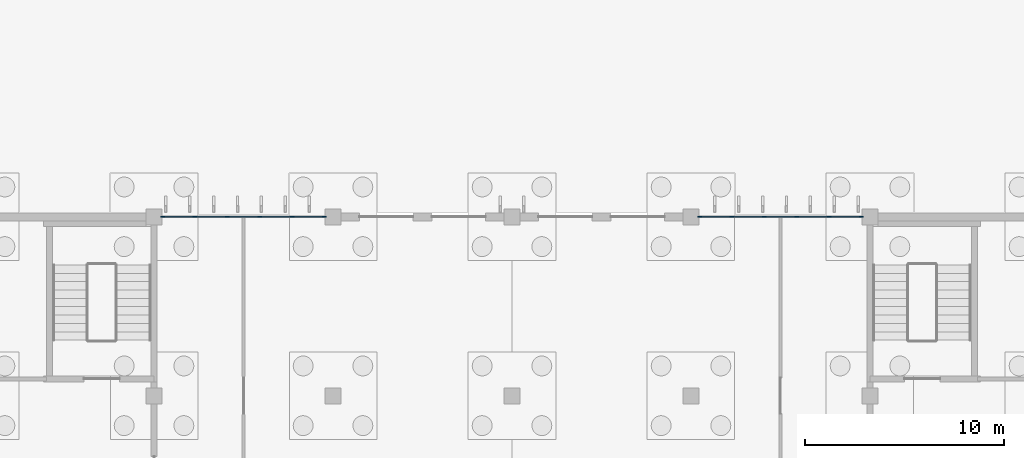
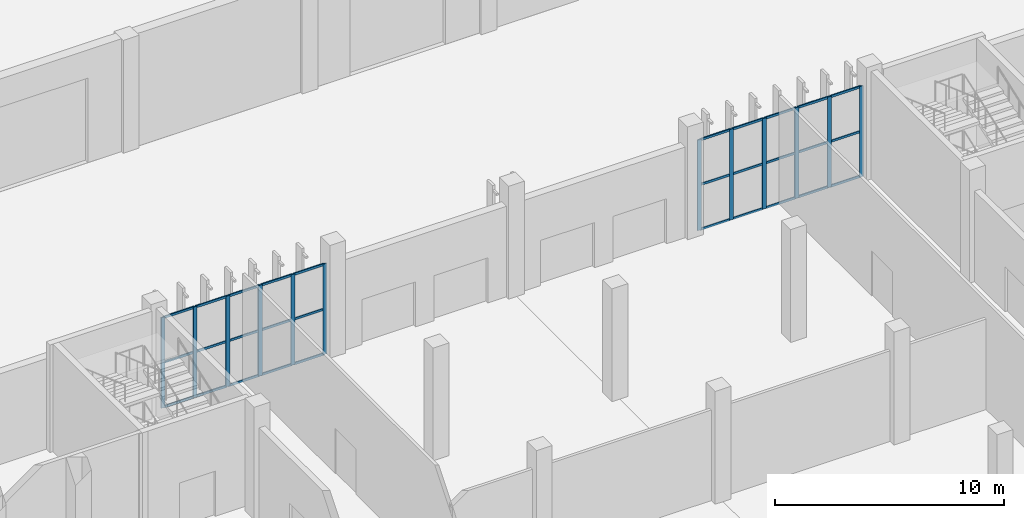
# One storey, part 37 of 198: 42 members, 2 elements without a shape of their own.
"""IFC4 building model written with IfcOpenShell, lengths in metres."""

from ifc_helpers import new_model, si_unit, direction, frame, origin, origin_2d, place, context, subcontext, project, spatial, rectangle, extrude, material, layer, layer_set, material_profile, profile_set, type_object, element, aggregate, save


model = new_model("IFC4")

# Units and contexts
model_context = context("Model", 3, precision=1e-05, world=origin(), true_north=direction((0.0, 1.0)))
body_context = subcontext(model_context, "Body", "Model", "MODEL_VIEW")
ifc_project = project(units=[si_unit("LENGTHUNIT", "METRE"), si_unit("AREAUNIT", "SQUARE_METRE"), si_unit("VOLUMEUNIT", "CUBIC_METRE"), si_unit("PLANEANGLEUNIT", "RADIAN"), si_unit("MASSUNIT", "GRAM", prefix="KILO")], contexts=[model_context])

# Site, building, storey
site_placement = place(None, origin())
site = spatial("IfcSite", under=ifc_project, at=site_placement, CompositionType="ELEMENT")
building_placement = place(site_placement, origin())
building = spatial("IfcBuilding", under=site, at=building_placement, Name="Opaline Strait Convention Centre", CompositionType="ELEMENT")
storey_placement = place(building_placement, origin())
storey = spatial("IfcBuildingStorey", under=building, at=storey_placement, Name="L00", CompositionType="ELEMENT", Elevation=0.0)

# Curtain wall, members
ifc_material_1 = material(Name="Aluminium framed double glazing", Category="aluminium")
ifc_layer = layer(ifc_material_1, 0.199951171875)
ifc_layer_set = layer_set([ifc_layer], Name="Aluminium framed double glazing")
curtain_wall_type = type_object("IfcCurtainWallType", Name="Curtain wall 1500 module", PredefinedType="NOTDEFINED", material=ifc_layer_set)
curtain_wall_1_placement = place(storey_placement, origin())
curtain_wall_1 = element("IfcCurtainWall", 1, at=curtain_wall_1_placement, inside=storey, type_object=curtain_wall_type, Name="L00 N facade glazing bay 3", PredefinedType="NOTDEFINED")
ifc_material_2 = material(Name="Aluminium alloy 6063", Category="aluminium")
ifc_material_profile_1 = material_profile(ifc_material_2, rectangle(XDim=0.06005859375, YDim=0.199951171875, at=origin_2d()), Name="Curtain wall mullion 60x200")
ifc_profile_set_1 = profile_set([ifc_material_profile_1], Name="Aluminium alloy 6063")
member_type_1 = type_object("IfcMemberType", Name="Curtain wall mullion 60x200", PredefinedType="MULLION", material=ifc_profile_set_1)
member_1_placement = place(storey_placement, frame((27.429931640625, 99.0, 0.0), z_axis=(0.0, 0.0, 1.0), x_axis=(0.0, 1.0, 0.0)))
member_1 = element("IfcMember", 2, at=member_1_placement, type_object=member_type_1, Name="RCW1 mullion 1", PredefinedType="MULLION", context=body_context, shape_type="SweptSolid", body=[
    extrude(rectangle(XDim=0.06005859375, YDim=0.199951171875, at=origin_2d()), origin(), (0.0, 0.0, 1.0), 4.820068359375),
])
member_2_placement = place(storey_placement, frame((29.0400390625, 99.0, 0.0), z_axis=(0.0, 0.0, 1.0), x_axis=(0.0, 1.0, 0.0)))
member_2 = element("IfcMember", 3, at=member_2_placement, type_object=member_type_1, Name="RCW1 mullion 2", PredefinedType="MULLION", context=body_context, shape_type="SweptSolid", body=[
    extrude(rectangle(XDim=0.06005859375, YDim=0.199951171875, at=origin_2d()), origin(), (0.0, 0.0, 1.0), 4.820068359375),
])
member_3_placement = place(storey_placement, frame((30.679931640625, 99.0, 0.0), z_axis=(0.0, 0.0, 1.0), x_axis=(0.0, 1.0, 0.0)))
member_3 = element("IfcMember", 4, at=member_3_placement, type_object=member_type_1, Name="RCW1 mullion 3", PredefinedType="MULLION", context=body_context, shape_type="SweptSolid", body=[
    extrude(rectangle(XDim=0.06005859375, YDim=0.199951171875, at=origin_2d()), origin(), (0.0, 0.0, 1.0), 4.820068359375),
])
member_4_placement = place(storey_placement, frame((32.320068359375, 99.0, 0.0), z_axis=(0.0, 0.0, 1.0), x_axis=(0.0, 1.0, 0.0)))
member_4 = element("IfcMember", 5, at=member_4_placement, type_object=member_type_1, Name="RCW1 mullion 4", PredefinedType="MULLION", context=body_context, shape_type="SweptSolid", body=[
    extrude(rectangle(XDim=0.06005859375, YDim=0.199951171875, at=origin_2d()), origin(), (0.0, 0.0, 1.0), 4.820068359375),
])
member_5_placement = place(storey_placement, frame((33.9599609375, 99.0, 0.0), z_axis=(0.0, 0.0, 1.0), x_axis=(0.0, 1.0, 0.0)))
member_5 = element("IfcMember", 6, at=member_5_placement, type_object=member_type_1, Name="RCW1 mullion 5", PredefinedType="MULLION", context=body_context, shape_type="SweptSolid", body=[
    extrude(rectangle(XDim=0.06005859375, YDim=0.199951171875, at=origin_2d()), origin(), (0.0, 0.0, 1.0), 4.820068359375),
])
member_6_placement = place(storey_placement, frame((35.570068359375, 99.0, 0.0), z_axis=(0.0, 0.0, 1.0), x_axis=(0.0, 1.0, 0.0)))
member_6 = element("IfcMember", 7, at=member_6_placement, type_object=member_type_1, Name="RCW1 mullion 6", PredefinedType="MULLION", context=body_context, shape_type="SweptSolid", body=[
    extrude(rectangle(XDim=0.06005859375, YDim=0.199951171875, at=origin_2d()), origin(), (0.0, 0.0, 1.0), 4.820068359375),
])

curtain_wall_2_placement = place(storey_placement, origin())
curtain_wall_2 = element("IfcCurtainWall", 8, at=curtain_wall_2_placement, inside=storey, type_object=curtain_wall_type, Name="L00 N facade glazing bay 6", PredefinedType="NOTDEFINED")
member_7_placement = place(storey_placement, frame((54.429931640625, 99.0, 0.0), z_axis=(0.0, 0.0, 1.0), x_axis=(0.0, 1.0, 0.0)))
member_7 = element("IfcMember", 9, at=member_7_placement, type_object=member_type_1, Name="RCW1 mullion 1", PredefinedType="MULLION", context=body_context, shape_type="SweptSolid", body=[
    extrude(rectangle(XDim=0.06005859375, YDim=0.199951171875, at=origin_2d()), origin(), (0.0, 0.0, 1.0), 4.820068359375),
])
member_8_placement = place(storey_placement, frame((56.0400390625, 99.0, 0.0), z_axis=(0.0, 0.0, 1.0), x_axis=(0.0, 1.0, 0.0)))
member_8 = element("IfcMember", 10, at=member_8_placement, type_object=member_type_1, Name="RCW1 mullion 2", PredefinedType="MULLION", context=body_context, shape_type="SweptSolid", body=[
    extrude(rectangle(XDim=0.06005859375, YDim=0.199951171875, at=origin_2d()), origin(), (0.0, 0.0, 1.0), 4.820068359375),
])
member_9_placement = place(storey_placement, frame((57.679931640625, 99.0, 0.0), z_axis=(0.0, 0.0, 1.0), x_axis=(0.0, 1.0, 0.0)))
member_9 = element("IfcMember", 11, at=member_9_placement, type_object=member_type_1, Name="RCW1 mullion 3", PredefinedType="MULLION", context=body_context, shape_type="SweptSolid", body=[
    extrude(rectangle(XDim=0.06005859375, YDim=0.199951171875, at=origin_2d()), origin(), (0.0, 0.0, 1.0), 4.820068359375),
])
member_10_placement = place(storey_placement, frame((59.320068359375, 99.0, 0.0), z_axis=(0.0, 0.0, 1.0), x_axis=(0.0, 1.0, 0.0)))
member_10 = element("IfcMember", 12, at=member_10_placement, type_object=member_type_1, Name="RCW1 mullion 4", PredefinedType="MULLION", context=body_context, shape_type="SweptSolid", body=[
    extrude(rectangle(XDim=0.06005859375, YDim=0.199951171875, at=origin_2d()), origin(), (0.0, 0.0, 1.0), 4.820068359375),
])
member_11_placement = place(storey_placement, frame((60.9599609375, 99.0, 0.0), z_axis=(0.0, 0.0, 1.0), x_axis=(0.0, 1.0, 0.0)))
member_11 = element("IfcMember", 13, at=member_11_placement, type_object=member_type_1, Name="RCW1 mullion 5", PredefinedType="MULLION", context=body_context, shape_type="SweptSolid", body=[
    extrude(rectangle(XDim=0.06005859375, YDim=0.199951171875, at=origin_2d()), origin(), (0.0, 0.0, 1.0), 4.820068359375),
])
member_12_placement = place(storey_placement, frame((62.570068359375, 99.0, 0.0), z_axis=(0.0, 0.0, 1.0), x_axis=(0.0, 1.0, 0.0)))
member_12 = element("IfcMember", 14, at=member_12_placement, type_object=member_type_1, Name="RCW1 mullion 6", PredefinedType="MULLION", context=body_context, shape_type="SweptSolid", body=[
    extrude(rectangle(XDim=0.06005859375, YDim=0.199951171875, at=origin_2d()), origin(), (0.0, 0.0, 1.0), 4.820068359375),
])

# Member
ifc_material_profile_2 = material_profile(ifc_material_2, rectangle(XDim=0.06005859375, YDim=0.1201171875, at=origin_2d()), Name="Curtain wall transom 60x120")
ifc_profile_set_2 = profile_set([ifc_material_profile_2], Name="Aluminium alloy 6063")
member_type_2 = type_object("IfcMemberType", Name="Curtain wall transom 60x120", PredefinedType="USERDEFINED", material=ifc_profile_set_2)
member_13_placement = place(storey_placement, frame((27.4599609375, 99.0, 0.030029296875), z_axis=(1.0, 0.0, 0.0), x_axis=(0.0, 1.0, 0.0)))
member_13 = element("IfcMember", 15, at=member_13_placement, type_object=member_type_2, Name="RCW1 transom 1.1", ObjectType="TRANSOM", PredefinedType="USERDEFINED", context=body_context, shape_type="SweptSolid", body=[
    extrude(rectangle(XDim=0.06005859375, YDim=0.1201171875, at=origin_2d()), origin(), (0.0, 0.0, 1.0), 1.550048828125),
])

member_14_placement = place(storey_placement, frame((27.4599609375, 99.0, 2.409912109375), z_axis=(1.0, 0.0, 0.0), x_axis=(0.0, 1.0, 0.0)))
member_14 = element("IfcMember", 16, at=member_14_placement, type_object=member_type_2, Name="RCW1 transom 1.2", ObjectType="TRANSOM", PredefinedType="USERDEFINED", context=body_context, shape_type="SweptSolid", body=[
    extrude(rectangle(XDim=0.06005859375, YDim=0.1201171875, at=origin_2d()), origin(), (0.0, 0.0, 1.0), 1.550048828125),
])

member_15_placement = place(storey_placement, frame((27.4599609375, 99.0, 4.7900390625), z_axis=(1.0, 0.0, 0.0), x_axis=(0.0, 1.0, 0.0)))
member_15 = element("IfcMember", 17, at=member_15_placement, type_object=member_type_2, Name="RCW1 transom 1.3", ObjectType="TRANSOM", PredefinedType="USERDEFINED", context=body_context, shape_type="SweptSolid", body=[
    extrude(rectangle(XDim=0.06005859375, YDim=0.1201171875, at=origin_2d()), origin(), (0.0, 0.0, 1.0), 1.550048828125),
])

member_16_placement = place(storey_placement, frame((29.06982421875, 99.0, 0.030029296875), z_axis=(1.0, 0.0, 0.0), x_axis=(0.0, 1.0, 0.0)))
member_16 = element("IfcMember", 18, at=member_16_placement, type_object=member_type_2, Name="RCW1 transom 2.1", ObjectType="TRANSOM", PredefinedType="USERDEFINED", context=body_context, shape_type="SweptSolid", body=[
    extrude(rectangle(XDim=0.06005859375, YDim=0.1201171875, at=origin_2d()), origin(), (0.0, 0.0, 1.0), 1.580078125),
])

member_17_placement = place(storey_placement, frame((29.06982421875, 99.0, 2.409912109375), z_axis=(1.0, 0.0, 0.0), x_axis=(0.0, 1.0, 0.0)))
member_17 = element("IfcMember", 19, at=member_17_placement, type_object=member_type_2, Name="RCW1 transom 2.2", ObjectType="TRANSOM", PredefinedType="USERDEFINED", context=body_context, shape_type="SweptSolid", body=[
    extrude(rectangle(XDim=0.06005859375, YDim=0.1201171875, at=origin_2d()), origin(), (0.0, 0.0, 1.0), 1.580078125),
])

member_18_placement = place(storey_placement, frame((29.06982421875, 99.0, 4.7900390625), z_axis=(1.0, 0.0, 0.0), x_axis=(0.0, 1.0, 0.0)))
member_18 = element("IfcMember", 20, at=member_18_placement, type_object=member_type_2, Name="RCW1 transom 2.3", ObjectType="TRANSOM", PredefinedType="USERDEFINED", context=body_context, shape_type="SweptSolid", body=[
    extrude(rectangle(XDim=0.06005859375, YDim=0.1201171875, at=origin_2d()), origin(), (0.0, 0.0, 1.0), 1.580078125),
])

member_19_placement = place(storey_placement, frame((30.7099609375, 99.0, 0.030029296875), z_axis=(1.0, 0.0, 0.0), x_axis=(0.0, 1.0, 0.0)))
member_19 = element("IfcMember", 21, at=member_19_placement, type_object=member_type_2, Name="RCW1 transom 3.1", ObjectType="TRANSOM", PredefinedType="USERDEFINED", context=body_context, shape_type="SweptSolid", body=[
    extrude(rectangle(XDim=0.06005859375, YDim=0.1201171875, at=origin_2d()), origin(), (0.0, 0.0, 1.0), 1.580078125),
])

member_20_placement = place(storey_placement, frame((30.7099609375, 99.0, 2.409912109375), z_axis=(1.0, 0.0, 0.0), x_axis=(0.0, 1.0, 0.0)))
member_20 = element("IfcMember", 22, at=member_20_placement, type_object=member_type_2, Name="RCW1 transom 3.2", ObjectType="TRANSOM", PredefinedType="USERDEFINED", context=body_context, shape_type="SweptSolid", body=[
    extrude(rectangle(XDim=0.06005859375, YDim=0.1201171875, at=origin_2d()), origin(), (0.0, 0.0, 1.0), 1.580078125),
])

member_21_placement = place(storey_placement, frame((30.7099609375, 99.0, 4.7900390625), z_axis=(1.0, 0.0, 0.0), x_axis=(0.0, 1.0, 0.0)))
member_21 = element("IfcMember", 23, at=member_21_placement, type_object=member_type_2, Name="RCW1 transom 3.3", ObjectType="TRANSOM", PredefinedType="USERDEFINED", context=body_context, shape_type="SweptSolid", body=[
    extrude(rectangle(XDim=0.06005859375, YDim=0.1201171875, at=origin_2d()), origin(), (0.0, 0.0, 1.0), 1.580078125),
])

member_22_placement = place(storey_placement, frame((32.35009765625, 99.0, 0.030029296875), z_axis=(1.0, 0.0, 0.0), x_axis=(0.0, 1.0, 0.0)))
member_22 = element("IfcMember", 24, at=member_22_placement, type_object=member_type_2, Name="RCW1 transom 4.1", ObjectType="TRANSOM", PredefinedType="USERDEFINED", context=body_context, shape_type="SweptSolid", body=[
    extrude(rectangle(XDim=0.06005859375, YDim=0.1201171875, at=origin_2d()), origin(), (0.0, 0.0, 1.0), 1.580078125),
])

member_23_placement = place(storey_placement, frame((32.35009765625, 99.0, 2.409912109375), z_axis=(1.0, 0.0, 0.0), x_axis=(0.0, 1.0, 0.0)))
member_23 = element("IfcMember", 25, at=member_23_placement, type_object=member_type_2, Name="RCW1 transom 4.2", ObjectType="TRANSOM", PredefinedType="USERDEFINED", context=body_context, shape_type="SweptSolid", body=[
    extrude(rectangle(XDim=0.06005859375, YDim=0.1201171875, at=origin_2d()), origin(), (0.0, 0.0, 1.0), 1.580078125),
])

member_24_placement = place(storey_placement, frame((32.35009765625, 99.0, 4.7900390625), z_axis=(1.0, 0.0, 0.0), x_axis=(0.0, 1.0, 0.0)))
member_24 = element("IfcMember", 26, at=member_24_placement, type_object=member_type_2, Name="RCW1 transom 4.3", ObjectType="TRANSOM", PredefinedType="USERDEFINED", context=body_context, shape_type="SweptSolid", body=[
    extrude(rectangle(XDim=0.06005859375, YDim=0.1201171875, at=origin_2d()), origin(), (0.0, 0.0, 1.0), 1.580078125),
])

member_25_placement = place(storey_placement, frame((33.989990234375, 99.0, 0.030029296875), z_axis=(1.0, 0.0, 0.0), x_axis=(0.0, 1.0, 0.0)))
member_25 = element("IfcMember", 27, at=member_25_placement, type_object=member_type_2, Name="RCW1 transom 5.1", ObjectType="TRANSOM", PredefinedType="USERDEFINED", context=body_context, shape_type="SweptSolid", body=[
    extrude(rectangle(XDim=0.06005859375, YDim=0.1201171875, at=origin_2d()), origin(), (0.0, 0.0, 1.0), 1.550048828125),
])

member_26_placement = place(storey_placement, frame((33.989990234375, 99.0, 2.409912109375), z_axis=(1.0, 0.0, 0.0), x_axis=(0.0, 1.0, 0.0)))
member_26 = element("IfcMember", 28, at=member_26_placement, type_object=member_type_2, Name="RCW1 transom 5.2", ObjectType="TRANSOM", PredefinedType="USERDEFINED", context=body_context, shape_type="SweptSolid", body=[
    extrude(rectangle(XDim=0.06005859375, YDim=0.1201171875, at=origin_2d()), origin(), (0.0, 0.0, 1.0), 1.550048828125),
])

member_27_placement = place(storey_placement, frame((33.989990234375, 99.0, 4.7900390625), z_axis=(1.0, 0.0, 0.0), x_axis=(0.0, 1.0, 0.0)))
member_27 = element("IfcMember", 29, at=member_27_placement, type_object=member_type_2, Name="RCW1 transom 5.3", ObjectType="TRANSOM", PredefinedType="USERDEFINED", context=body_context, shape_type="SweptSolid", body=[
    extrude(rectangle(XDim=0.06005859375, YDim=0.1201171875, at=origin_2d()), origin(), (0.0, 0.0, 1.0), 1.550048828125),
])

aggregate(curtain_wall_1, [member_1, member_2, member_3, member_4, member_5, member_6, member_13, member_14, member_15, member_16, member_17, member_18, member_19, member_20, member_21, member_22, member_23, member_24, member_25, member_26, member_27])

member_28_placement = place(storey_placement, frame((54.4599609375, 99.0, 0.030029296875), z_axis=(1.0, 0.0, 0.0), x_axis=(0.0, 1.0, 0.0)))
member_28 = element("IfcMember", 30, at=member_28_placement, type_object=member_type_2, Name="RCW1 transom 1.1", ObjectType="TRANSOM", PredefinedType="USERDEFINED", context=body_context, shape_type="SweptSolid", body=[
    extrude(rectangle(XDim=0.06005859375, YDim=0.1201171875, at=origin_2d()), origin(), (0.0, 0.0, 1.0), 1.550048828125),
])

member_29_placement = place(storey_placement, frame((54.4599609375, 99.0, 2.409912109375), z_axis=(1.0, 0.0, 0.0), x_axis=(0.0, 1.0, 0.0)))
member_29 = element("IfcMember", 31, at=member_29_placement, type_object=member_type_2, Name="RCW1 transom 1.2", ObjectType="TRANSOM", PredefinedType="USERDEFINED", context=body_context, shape_type="SweptSolid", body=[
    extrude(rectangle(XDim=0.06005859375, YDim=0.1201171875, at=origin_2d()), origin(), (0.0, 0.0, 1.0), 1.550048828125),
])

member_30_placement = place(storey_placement, frame((54.4599609375, 99.0, 4.7900390625), z_axis=(1.0, 0.0, 0.0), x_axis=(0.0, 1.0, 0.0)))
member_30 = element("IfcMember", 32, at=member_30_placement, type_object=member_type_2, Name="RCW1 transom 1.3", ObjectType="TRANSOM", PredefinedType="USERDEFINED", context=body_context, shape_type="SweptSolid", body=[
    extrude(rectangle(XDim=0.06005859375, YDim=0.1201171875, at=origin_2d()), origin(), (0.0, 0.0, 1.0), 1.550048828125),
])

member_31_placement = place(storey_placement, frame((56.06982421875, 99.0, 0.030029296875), z_axis=(1.0, 0.0, 0.0), x_axis=(0.0, 1.0, 0.0)))
member_31 = element("IfcMember", 33, at=member_31_placement, type_object=member_type_2, Name="RCW1 transom 2.1", ObjectType="TRANSOM", PredefinedType="USERDEFINED", context=body_context, shape_type="SweptSolid", body=[
    extrude(rectangle(XDim=0.06005859375, YDim=0.1201171875, at=origin_2d()), origin(), (0.0, 0.0, 1.0), 1.580078125),
])

member_32_placement = place(storey_placement, frame((56.06982421875, 99.0, 2.409912109375), z_axis=(1.0, 0.0, 0.0), x_axis=(0.0, 1.0, 0.0)))
member_32 = element("IfcMember", 34, at=member_32_placement, type_object=member_type_2, Name="RCW1 transom 2.2", ObjectType="TRANSOM", PredefinedType="USERDEFINED", context=body_context, shape_type="SweptSolid", body=[
    extrude(rectangle(XDim=0.06005859375, YDim=0.1201171875, at=origin_2d()), origin(), (0.0, 0.0, 1.0), 1.580078125),
])

member_33_placement = place(storey_placement, frame((56.06982421875, 99.0, 4.7900390625), z_axis=(1.0, 0.0, 0.0), x_axis=(0.0, 1.0, 0.0)))
member_33 = element("IfcMember", 35, at=member_33_placement, type_object=member_type_2, Name="RCW1 transom 2.3", ObjectType="TRANSOM", PredefinedType="USERDEFINED", context=body_context, shape_type="SweptSolid", body=[
    extrude(rectangle(XDim=0.06005859375, YDim=0.1201171875, at=origin_2d()), origin(), (0.0, 0.0, 1.0), 1.580078125),
])

member_34_placement = place(storey_placement, frame((57.7099609375, 99.0, 0.030029296875), z_axis=(1.0, 0.0, 0.0), x_axis=(0.0, 1.0, 0.0)))
member_34 = element("IfcMember", 36, at=member_34_placement, type_object=member_type_2, Name="RCW1 transom 3.1", ObjectType="TRANSOM", PredefinedType="USERDEFINED", context=body_context, shape_type="SweptSolid", body=[
    extrude(rectangle(XDim=0.06005859375, YDim=0.1201171875, at=origin_2d()), origin(), (0.0, 0.0, 1.0), 1.580078125),
])

member_35_placement = place(storey_placement, frame((57.7099609375, 99.0, 2.409912109375), z_axis=(1.0, 0.0, 0.0), x_axis=(0.0, 1.0, 0.0)))
member_35 = element("IfcMember", 37, at=member_35_placement, type_object=member_type_2, Name="RCW1 transom 3.2", ObjectType="TRANSOM", PredefinedType="USERDEFINED", context=body_context, shape_type="SweptSolid", body=[
    extrude(rectangle(XDim=0.06005859375, YDim=0.1201171875, at=origin_2d()), origin(), (0.0, 0.0, 1.0), 1.580078125),
])

member_36_placement = place(storey_placement, frame((57.7099609375, 99.0, 4.7900390625), z_axis=(1.0, 0.0, 0.0), x_axis=(0.0, 1.0, 0.0)))
member_36 = element("IfcMember", 38, at=member_36_placement, type_object=member_type_2, Name="RCW1 transom 3.3", ObjectType="TRANSOM", PredefinedType="USERDEFINED", context=body_context, shape_type="SweptSolid", body=[
    extrude(rectangle(XDim=0.06005859375, YDim=0.1201171875, at=origin_2d()), origin(), (0.0, 0.0, 1.0), 1.580078125),
])

member_37_placement = place(storey_placement, frame((59.35009765625, 99.0, 0.030029296875), z_axis=(1.0, 0.0, 0.0), x_axis=(0.0, 1.0, 0.0)))
member_37 = element("IfcMember", 39, at=member_37_placement, type_object=member_type_2, Name="RCW1 transom 4.1", ObjectType="TRANSOM", PredefinedType="USERDEFINED", context=body_context, shape_type="SweptSolid", body=[
    extrude(rectangle(XDim=0.06005859375, YDim=0.1201171875, at=origin_2d()), origin(), (0.0, 0.0, 1.0), 1.580078125),
])

member_38_placement = place(storey_placement, frame((59.35009765625, 99.0, 2.409912109375), z_axis=(1.0, 0.0, 0.0), x_axis=(0.0, 1.0, 0.0)))
member_38 = element("IfcMember", 40, at=member_38_placement, type_object=member_type_2, Name="RCW1 transom 4.2", ObjectType="TRANSOM", PredefinedType="USERDEFINED", context=body_context, shape_type="SweptSolid", body=[
    extrude(rectangle(XDim=0.06005859375, YDim=0.1201171875, at=origin_2d()), origin(), (0.0, 0.0, 1.0), 1.580078125),
])

member_39_placement = place(storey_placement, frame((59.35009765625, 99.0, 4.7900390625), z_axis=(1.0, 0.0, 0.0), x_axis=(0.0, 1.0, 0.0)))
member_39 = element("IfcMember", 41, at=member_39_placement, type_object=member_type_2, Name="RCW1 transom 4.3", ObjectType="TRANSOM", PredefinedType="USERDEFINED", context=body_context, shape_type="SweptSolid", body=[
    extrude(rectangle(XDim=0.06005859375, YDim=0.1201171875, at=origin_2d()), origin(), (0.0, 0.0, 1.0), 1.580078125),
])

member_40_placement = place(storey_placement, frame((60.989990234375, 99.0, 0.030029296875), z_axis=(1.0, 0.0, 0.0), x_axis=(0.0, 1.0, 0.0)))
member_40 = element("IfcMember", 42, at=member_40_placement, type_object=member_type_2, Name="RCW1 transom 5.1", ObjectType="TRANSOM", PredefinedType="USERDEFINED", context=body_context, shape_type="SweptSolid", body=[
    extrude(rectangle(XDim=0.06005859375, YDim=0.1201171875, at=origin_2d()), origin(), (0.0, 0.0, 1.0), 1.550048828125),
])

member_41_placement = place(storey_placement, frame((60.989990234375, 99.0, 2.409912109375), z_axis=(1.0, 0.0, 0.0), x_axis=(0.0, 1.0, 0.0)))
member_41 = element("IfcMember", 43, at=member_41_placement, type_object=member_type_2, Name="RCW1 transom 5.2", ObjectType="TRANSOM", PredefinedType="USERDEFINED", context=body_context, shape_type="SweptSolid", body=[
    extrude(rectangle(XDim=0.06005859375, YDim=0.1201171875, at=origin_2d()), origin(), (0.0, 0.0, 1.0), 1.550048828125),
])

member_42_placement = place(storey_placement, frame((60.989990234375, 99.0, 4.7900390625), z_axis=(1.0, 0.0, 0.0), x_axis=(0.0, 1.0, 0.0)))
member_42 = element("IfcMember", 44, at=member_42_placement, type_object=member_type_2, Name="RCW1 transom 5.3", ObjectType="TRANSOM", PredefinedType="USERDEFINED", context=body_context, shape_type="SweptSolid", body=[
    extrude(rectangle(XDim=0.06005859375, YDim=0.1201171875, at=origin_2d()), origin(), (0.0, 0.0, 1.0), 1.550048828125),
])

aggregate(curtain_wall_2, [member_7, member_8, member_9, member_10, member_11, member_12, member_28, member_29, member_30, member_31, member_32, member_33, member_34, member_35, member_36, member_37, member_38, member_39, member_40, member_41, member_42])

save(model, "model.ifc")
